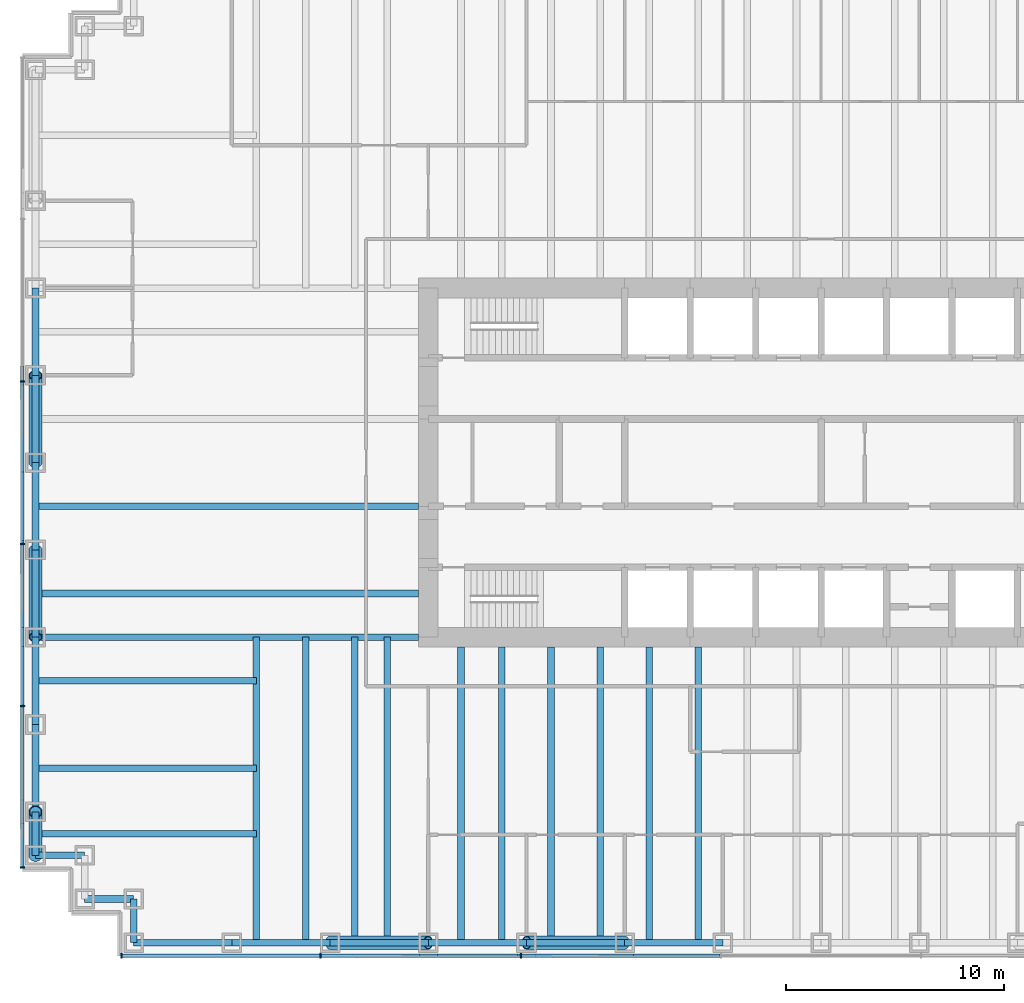
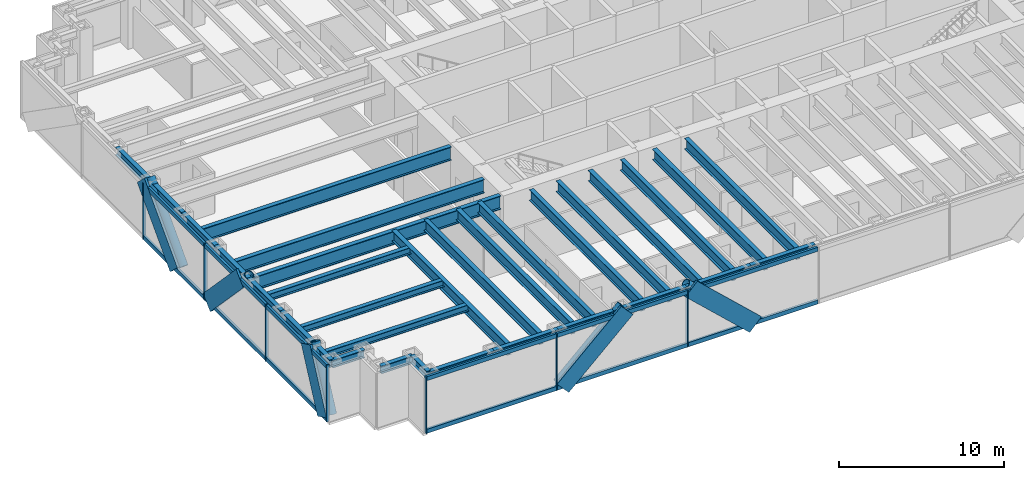
# One storey, part 2 of 15: 32 beams, 29 members, 2 elements without a shape of their own.
"""IFC4 building model written with IfcOpenShell, lengths in metres."""

from ifc_helpers import new_model, si_unit, direction, frame, origin, origin_2d, place, context, subcontext, project, spatial, rectangle, hollow_circle, i_section, extrude, material, material_profile, profile_set, type_object, element, aggregate, save


model = new_model("IFC4")

# Units and contexts
model_context = context("Model", 3, precision=1e-05, world=origin(), true_north=direction((0.0, 1.0)))
body_context = subcontext(model_context, "Body", "Model", "MODEL_VIEW")
ifc_project = project(units=[si_unit("LENGTHUNIT", "METRE"), si_unit("AREAUNIT", "SQUARE_METRE"), si_unit("VOLUMEUNIT", "CUBIC_METRE"), si_unit("PLANEANGLEUNIT", "RADIAN"), si_unit("MASSUNIT", "GRAM", prefix="KILO")], contexts=[model_context])

# Site, building, storey
site_placement = place(None, origin())
site = spatial("IfcSite", under=ifc_project, at=site_placement, CompositionType="ELEMENT")
building_placement = place(site_placement, origin())
building = spatial("IfcBuilding", under=site, at=building_placement, Name="Rheinbord Bourse Tower", CompositionType="ELEMENT")
storey_placement = place(building_placement, frame((0.0, 0.0, 104.699951171875)))
storey = spatial("IfcBuildingStorey", under=building, at=storey_placement, Name="L22", CompositionType="ELEMENT", Elevation=104.699951171875)

# Curtain wall, members
ifc_material_1 = material(Name="Dark glass and black aluminium", Category="aluminium")
curtain_wall_type = type_object("IfcCurtainWallType", Name="CW2 DARK GLASS CURTAIN WALL", PredefinedType="USERDEFINED", material=ifc_material_1)
curtain_wall_1_placement = place(storey_placement, origin())
curtain_wall_1 = element("IfcCurtainWall", 1, at=curtain_wall_1_placement, inside=storey, type_object=curtain_wall_type, Name="Curtain wall CW2 S L22", ObjectType="UNITISED CURTAIN WALL", PredefinedType="USERDEFINED")
ifc_material_2 = material(Name="Black anodised aluminium", Category="aluminium")
ifc_material_profile_1 = material_profile(ifc_material_2, rectangle(XDim=0.159912109375, YDim=1.2099609375, at=origin_2d()), Name="CW2 DIAGONAL MULLION 1210x160")
ifc_profile_set_1 = profile_set([ifc_material_profile_1], Name="Black anodised aluminium")
member_type_1 = type_object("IfcMemberType", Name="CW2 BLACK DIAGONAL MULLION", PredefinedType="USERDEFINED", material=ifc_profile_set_1)
member_1_placement = place(storey_placement, frame((27.0, 1.39990234375, 0.0), z_axis=(-0.73105922506, 0.0, 0.682314010889), x_axis=(0.0, -1.0, 0.0)))
member_1 = element("IfcMember", 2, at=member_1_placement, type_object=member_type_1, Name="CW2 diagonal mullion a", ObjectType="DIAGONAL MULLION", PredefinedType="USERDEFINED", context=body_context, shape_type="SweptSolid", body=[
    extrude(rectangle(XDim=0.159912109375, YDim=1.2099609375, at=origin_2d()), origin(), (0.0, 0.0, 1.0), 6.155517578125),
])
member_2_placement = place(storey_placement, frame((13.5, 1.39990234375, 0.0), z_axis=(0.73105922506, 0.0, 0.682314010889), x_axis=(0.0, 1.0, 0.0)))
member_2 = element("IfcMember", 3, at=member_2_placement, type_object=member_type_1, Name="CW2 diagonal mullion c", ObjectType="DIAGONAL MULLION", PredefinedType="USERDEFINED", context=body_context, shape_type="SweptSolid", body=[
    extrude(rectangle(XDim=0.159912109375, YDim=1.2099609375, at=origin_2d()), origin(), (0.0, 0.0, 1.0), 6.155517578125),
])

curtain_wall_2_placement = place(storey_placement, origin())
curtain_wall_2 = element("IfcCurtainWall", 4, at=curtain_wall_2_placement, inside=storey, type_object=curtain_wall_type, Name="Curtain wall CW2 W L22", ObjectType="UNITISED CURTAIN WALL", PredefinedType="USERDEFINED")
member_3_placement = place(storey_placement, frame((-0.60009765625, 24.0, 0.0), z_axis=(0.0, 0.689659376744, 0.724133926887), x_axis=(-1.0, 0.0, 0.0)))
member_3 = element("IfcMember", 5, at=member_3_placement, type_object=member_type_1, Name="CW2 diagonal mullion a", ObjectType="DIAGONAL MULLION", PredefinedType="USERDEFINED", context=body_context, shape_type="SweptSolid", body=[
    extrude(rectangle(XDim=0.159912109375, YDim=1.2099609375, at=origin_2d()), origin(), (0.0, 0.0, 1.0), 5.800048828125),
])
member_4_placement = place(storey_placement, frame((-0.60009765625, 20.0, 0.0), z_axis=(0.0, -0.689659376744, 0.724133926887), x_axis=(1.0, 0.0, 0.0)))
member_4 = element("IfcMember", 6, at=member_4_placement, type_object=member_type_1, Name="CW2 diagonal mullion b", ObjectType="DIAGONAL MULLION", PredefinedType="USERDEFINED", context=body_context, shape_type="SweptSolid", body=[
    extrude(rectangle(XDim=0.159912109375, YDim=1.2099609375, at=origin_2d()), origin(), (0.0, 0.0, 1.0), 5.800048828125),
])
member_5_placement = place(storey_placement, frame((-0.60009765625, 6.0, 0.0), z_axis=(0.0, 0.429937654825, 0.902858578607), x_axis=(-1.0, 0.0, 0.0)))
member_5 = element("IfcMember", 7, at=member_5_placement, type_object=member_type_1, Name="CW2 diagonal mullion d", ObjectType="DIAGONAL MULLION", PredefinedType="USERDEFINED", context=body_context, shape_type="SweptSolid", body=[
    extrude(rectangle(XDim=0.159912109375, YDim=1.2099609375, at=origin_2d()), origin(), (0.0, 0.0, 1.0), 4.65185546875),
])

# Member
ifc_material_3 = material(Name="Black anodised aluminium", Category="aluminium")
ifc_material_profile_2 = material_profile(ifc_material_3, rectangle(XDim=0.219970703125, YDim=0.070068359375, at=origin_2d()), Name="CW2 MULLION 70x220")
ifc_profile_set_2 = profile_set([ifc_material_profile_2], Name="Black anodised aluminium")
member_type_2 = type_object("IfcMemberType", Name="CW2 BLACK MULLION", PredefinedType="MULLION", material=ifc_profile_set_2)
member_6_placement = place(storey_placement, frame((3.93505859375, 1.39990234375, 0.0), z_axis=(0.0, 0.0, 1.0), x_axis=(0.0, 1.0, 0.0)))
member_6 = element("IfcMember", 8, at=member_6_placement, type_object=member_type_2, Name="CW2 mullion 1", PredefinedType="MULLION", context=body_context, shape_type="SweptSolid", body=[
    extrude(rectangle(XDim=0.219970703125, YDim=0.070068359375, at=origin_2d()), origin(), (0.0, 0.0, 1.0), 4.199951171875),
])

member_7_placement = place(storey_placement, frame((13.071533203125, 1.39990234375, 0.0), z_axis=(0.0, 0.0, 1.0), x_axis=(0.0, 1.0, 0.0)))
member_7 = element("IfcMember", 9, at=member_7_placement, type_object=member_type_2, Name="CW2 mullion 2", PredefinedType="MULLION", context=body_context, shape_type="SweptSolid", body=[
    extrude(rectangle(XDim=0.219970703125, YDim=0.070068359375, at=origin_2d()), origin(), (0.0, 0.0, 1.0), 4.199951171875),
])

member_8_placement = place(storey_placement, frame((22.242919921875, 1.39990234375, 0.0), z_axis=(0.0, 0.0, 1.0), x_axis=(0.0, 1.0, 0.0)))
member_8 = element("IfcMember", 10, at=member_8_placement, type_object=member_type_2, Name="CW2 mullion 3", PredefinedType="MULLION", context=body_context, shape_type="SweptSolid", body=[
    extrude(rectangle(XDim=0.219970703125, YDim=0.070068359375, at=origin_2d()), origin(), (0.0, 0.0, 1.0), 4.199951171875),
])

member_9_placement = place(storey_placement, frame((-0.60009765625, 27.719970703125, 0.0), z_axis=(0.0, 0.0, 1.0), x_axis=(1.0, 0.0, 0.0)))
member_9 = element("IfcMember", 11, at=member_9_placement, type_object=member_type_2, Name="CW2 mullion 3", PredefinedType="MULLION", context=body_context, shape_type="SweptSolid", body=[
    extrude(rectangle(XDim=0.219970703125, YDim=0.070068359375, at=origin_2d()), origin(), (0.0, 0.0, 1.0), 4.199951171875),
])

member_10_placement = place(storey_placement, frame((-0.60009765625, 20.280029296875, 0.0), z_axis=(0.0, 0.0, 1.0), x_axis=(1.0, 0.0, 0.0)))
member_10 = element("IfcMember", 12, at=member_10_placement, type_object=member_type_2, Name="CW2 mullion 4", PredefinedType="MULLION", context=body_context, shape_type="SweptSolid", body=[
    extrude(rectangle(XDim=0.219970703125, YDim=0.070068359375, at=origin_2d()), origin(), (0.0, 0.0, 1.0), 4.199951171875),
])

member_11_placement = place(storey_placement, frame((-0.60009765625, 12.840087890625, 0.0), z_axis=(0.0, 0.0, 1.0), x_axis=(1.0, 0.0, 0.0)))
member_11 = element("IfcMember", 13, at=member_11_placement, type_object=member_type_2, Name="CW2 mullion 5", PredefinedType="MULLION", context=body_context, shape_type="SweptSolid", body=[
    extrude(rectangle(XDim=0.219970703125, YDim=0.070068359375, at=origin_2d()), origin(), (0.0, 0.0, 1.0), 4.199951171875),
])

member_12_placement = place(storey_placement, frame((-0.60009765625, 5.43505859375, 0.0), z_axis=(0.0, 0.0, 1.0), x_axis=(1.0, 0.0, 0.0)))
member_12 = element("IfcMember", 14, at=member_12_placement, type_object=member_type_2, Name="CW2 mullion 6", PredefinedType="MULLION", context=body_context, shape_type="SweptSolid", body=[
    extrude(rectangle(XDim=0.219970703125, YDim=0.070068359375, at=origin_2d()), origin(), (0.0, 0.0, 1.0), 4.199951171875),
])

ifc_material_4 = material(Name="Black anodised aluminium", Category="aluminium")
ifc_material_profile_3 = material_profile(ifc_material_4, rectangle(XDim=0.159912109375, YDim=0.300048828125, at=origin_2d()), Name="CW2 TRANSOM 300x160")
ifc_profile_set_3 = profile_set([ifc_material_profile_3], Name="Black anodised aluminium")
member_type_3 = type_object("IfcMemberType", Name="CW2 BLACK TRANSOM", PredefinedType="USERDEFINED", material=ifc_profile_set_3)
member_13_placement = place(storey_placement, frame((3.969970703125, 1.39990234375, 0.150146484375), z_axis=(1.0, 0.0, 0.0), x_axis=(0.0, 1.0, 0.0)))
member_13 = element("IfcMember", 15, at=member_13_placement, type_object=member_type_3, Name="CW2 transom 1.1", ObjectType="TRANSOM", PredefinedType="USERDEFINED", context=body_context, shape_type="SweptSolid", body=[
    extrude(rectangle(XDim=0.159912109375, YDim=0.300048828125, at=origin_2d()), origin(), (0.0, 0.0, 1.0), 9.06640625),
])

member_14_placement = place(storey_placement, frame((3.969970703125, 1.39990234375, 4.050048828125), z_axis=(1.0, 0.0, 0.0), x_axis=(0.0, 1.0, 0.0)))
member_14 = element("IfcMember", 16, at=member_14_placement, type_object=member_type_3, Name="CW2 transom 1.2", ObjectType="TRANSOM", PredefinedType="USERDEFINED", context=body_context, shape_type="SweptSolid", body=[
    extrude(rectangle(XDim=0.159912109375, YDim=0.300048828125, at=origin_2d()), origin(), (0.0, 0.0, 1.0), 9.06640625),
])

member_15_placement = place(storey_placement, frame((13.1064453125, 1.39990234375, 0.150146484375), z_axis=(1.0, 0.0, 0.0), x_axis=(0.0, 1.0, 0.0)))
member_15 = element("IfcMember", 17, at=member_15_placement, type_object=member_type_3, Name="CW2 transom 2.1", ObjectType="TRANSOM", PredefinedType="USERDEFINED", context=body_context, shape_type="SweptSolid", body=[
    extrude(rectangle(XDim=0.159912109375, YDim=0.300048828125, at=origin_2d()), origin(), (0.0, 0.0, 1.0), 9.101318359375),
])

member_16_placement = place(storey_placement, frame((13.1064453125, 1.39990234375, 4.050048828125), z_axis=(1.0, 0.0, 0.0), x_axis=(0.0, 1.0, 0.0)))
member_16 = element("IfcMember", 18, at=member_16_placement, type_object=member_type_3, Name="CW2 transom 2.2", ObjectType="TRANSOM", PredefinedType="USERDEFINED", context=body_context, shape_type="SweptSolid", body=[
    extrude(rectangle(XDim=0.159912109375, YDim=0.300048828125, at=origin_2d()), origin(), (0.0, 0.0, 1.0), 9.101318359375),
])

member_17_placement = place(storey_placement, frame((22.27783203125, 1.39990234375, 0.150146484375), z_axis=(1.0, 0.0, 0.0), x_axis=(0.0, 1.0, 0.0)))
member_17 = element("IfcMember", 19, at=member_17_placement, type_object=member_type_3, Name="CW2 transom 3.1", ObjectType="TRANSOM", PredefinedType="USERDEFINED", context=body_context, shape_type="SweptSolid", body=[
    extrude(rectangle(XDim=0.159912109375, YDim=0.300048828125, at=origin_2d()), origin(), (0.0, 0.0, 1.0), 9.1015625),
])

member_18_placement = place(storey_placement, frame((22.27783203125, 1.39990234375, 4.050048828125), z_axis=(1.0, 0.0, 0.0), x_axis=(0.0, 1.0, 0.0)))
member_18 = element("IfcMember", 20, at=member_18_placement, type_object=member_type_3, Name="CW2 transom 3.2", ObjectType="TRANSOM", PredefinedType="USERDEFINED", context=body_context, shape_type="SweptSolid", body=[
    extrude(rectangle(XDim=0.159912109375, YDim=0.300048828125, at=origin_2d()), origin(), (0.0, 0.0, 1.0), 9.1015625),
])

aggregate(curtain_wall_1, [member_6, member_7, member_8, member_13, member_14, member_15, member_16, member_17, member_18, member_1, member_2])

member_19_placement = place(storey_placement, frame((-0.60009765625, 27.68505859375, 0.150146484375), z_axis=(0.0, -1.0, 0.0), x_axis=(1.0, 0.0, 0.0)))
member_19 = element("IfcMember", 21, at=member_19_placement, type_object=member_type_3, Name="CW2 transom 3.1", ObjectType="TRANSOM", PredefinedType="USERDEFINED", context=body_context, shape_type="SweptSolid", body=[
    extrude(rectangle(XDim=0.159912109375, YDim=0.300048828125, at=origin_2d()), origin(), (0.0, 0.0, 1.0), 7.3701171875),
])

member_20_placement = place(storey_placement, frame((-0.60009765625, 27.68505859375, 4.050048828125), z_axis=(0.0, -1.0, 0.0), x_axis=(1.0, 0.0, 0.0)))
member_20 = element("IfcMember", 22, at=member_20_placement, type_object=member_type_3, Name="CW2 transom 3.2", ObjectType="TRANSOM", PredefinedType="USERDEFINED", context=body_context, shape_type="SweptSolid", body=[
    extrude(rectangle(XDim=0.159912109375, YDim=0.300048828125, at=origin_2d()), origin(), (0.0, 0.0, 1.0), 7.3701171875),
])

member_21_placement = place(storey_placement, frame((-0.60009765625, 20.2451171875, 0.150146484375), z_axis=(0.0, -1.0, 0.0), x_axis=(1.0, 0.0, 0.0)))
member_21 = element("IfcMember", 23, at=member_21_placement, type_object=member_type_3, Name="CW2 transom 4.1", ObjectType="TRANSOM", PredefinedType="USERDEFINED", context=body_context, shape_type="SweptSolid", body=[
    extrude(rectangle(XDim=0.159912109375, YDim=0.300048828125, at=origin_2d()), origin(), (0.0, 0.0, 1.0), 7.3701171875),
])

member_22_placement = place(storey_placement, frame((-0.60009765625, 20.2451171875, 4.050048828125), z_axis=(0.0, -1.0, 0.0), x_axis=(1.0, 0.0, 0.0)))
member_22 = element("IfcMember", 24, at=member_22_placement, type_object=member_type_3, Name="CW2 transom 4.2", ObjectType="TRANSOM", PredefinedType="USERDEFINED", context=body_context, shape_type="SweptSolid", body=[
    extrude(rectangle(XDim=0.159912109375, YDim=0.300048828125, at=origin_2d()), origin(), (0.0, 0.0, 1.0), 7.3701171875),
])

member_23_placement = place(storey_placement, frame((-0.60009765625, 12.804931640625, 0.150146484375), z_axis=(0.0, -1.0, 0.0), x_axis=(1.0, 0.0, 0.0)))
member_23 = element("IfcMember", 25, at=member_23_placement, type_object=member_type_3, Name="CW2 transom 5.1", ObjectType="TRANSOM", PredefinedType="USERDEFINED", context=body_context, shape_type="SweptSolid", body=[
    extrude(rectangle(XDim=0.159912109375, YDim=0.300048828125, at=origin_2d()), origin(), (0.0, 0.0, 1.0), 7.3349609375),
])

member_24_placement = place(storey_placement, frame((-0.60009765625, 12.804931640625, 4.050048828125), z_axis=(0.0, -1.0, 0.0), x_axis=(1.0, 0.0, 0.0)))
member_24 = element("IfcMember", 26, at=member_24_placement, type_object=member_type_3, Name="CW2 transom 5.2", ObjectType="TRANSOM", PredefinedType="USERDEFINED", context=body_context, shape_type="SweptSolid", body=[
    extrude(rectangle(XDim=0.159912109375, YDim=0.300048828125, at=origin_2d()), origin(), (0.0, 0.0, 1.0), 7.3349609375),
])

aggregate(curtain_wall_2, [member_9, member_10, member_11, member_12, member_19, member_20, member_21, member_22, member_23, member_24, member_3, member_4, member_5])

# Beams
ifc_material_5 = material(Name="Steel S460", Category="steel")
ifc_material_profile_4 = material_profile(ifc_material_5, i_section(OverallWidth=0.302001953125, OverallDepth=1.008056640625, WebThickness=0.02099609375, FlangeThickness=0.0400390625, at=origin_2d()), Name="HEM 1000")
ifc_profile_set_4 = profile_set([ifc_material_profile_4], Name="Steel S460")
beam_type_1 = type_object("IfcBeamType", Name="END BEAM HEM 1000", PredefinedType="BEAM", material=ifc_profile_set_4)
for number, where, z_axis, x_axis, name in (
    (27, (0.0, 18.0, 3.5361328125), (1.0, 0.0, 0.0), (0.0, 1.0, 0.0), "End beam west 18 L23"),
    (28, (0.0, 22.0, 3.5361328125), (1.0, 0.0, 0.0), (0.0, 1.0, 0.0), "End beam west 22 L23"),
):
    element("IfcBeam", number, at=place(storey_placement, frame(where, z_axis=z_axis, x_axis=x_axis)), inside=storey, type_object=beam_type_1, Name=name, PredefinedType="BEAM", context=body_context, shape_type="SweptSolid", body=[
        extrude(i_section(OverallWidth=0.302001953125, OverallDepth=1.008056640625, WebThickness=0.02099609375, FlangeThickness=0.0400390625, at=origin_2d()), origin(), (0.0, 0.0, 1.0), 17.550048828125),
    ])
ifc_material_6 = material(Name="Steel S460", Category="steel")
ifc_material_profile_5 = material_profile(ifc_material_6, i_section(OverallWidth=0.300048828125, OverallDepth=0.800048828125, WebThickness=0.017578125, FlangeThickness=0.032958984375, at=origin_2d()), Name="HEB 800")
ifc_profile_set_5 = profile_set([ifc_material_profile_5], Name="Steel S460")
beam_type_2 = type_object("IfcBeamType", Name="FLOOR BEAM HEB 800", PredefinedType="BEAM", material=ifc_profile_set_5)
for number, where, z_axis, x_axis, name in (
    (29, (10.125, 2.0, 3.64013671875), (0.0, 1.0, 0.0), (-1.0, 0.0, 0.0), "Floor beam S-9a L23"),
    (30, (12.375, 2.0, 3.64013671875), (0.0, 1.0, 0.0), (-1.0, 0.0, 0.0), "Floor beam S-9b L23"),
    (31, (14.625, 2.0, 3.64013671875), (0.0, 1.0, 0.0), (-1.0, 0.0, 0.0), "Floor beam S-13.5a L23"),
    (32, (16.125, 2.0, 3.64013671875), (0.0, 1.0, 0.0), (-1.0, 0.0, 0.0), "Floor beam S-13.5b L23"),
):
    element("IfcBeam", number, at=place(storey_placement, frame(where, z_axis=z_axis, x_axis=x_axis)), inside=storey, type_object=beam_type_2, Name=name, PredefinedType="BEAM", context=body_context, shape_type="SweptSolid", body=[
        extrude(i_section(OverallWidth=0.300048828125, OverallDepth=0.800048828125, WebThickness=0.017578125, FlangeThickness=0.032958984375, at=origin_2d()), origin(), (0.0, 0.0, 1.0), 14.0),
    ])
for number, where, z_axis, x_axis, name in (
    (33, (19.5, 2.0, 3.64013671875), (0.0, 1.0, 0.0), (-1.0, 0.0, 0.0), "Floor beam S-18a L23"),
    (34, (21.375, 2.0, 3.64013671875), (0.0, 1.0, 0.0), (-1.0, 0.0, 0.0), "Floor beam S-18b L23"),
    (35, (23.625, 2.0, 3.64013671875), (0.0, 1.0, 0.0), (-1.0, 0.0, 0.0), "Floor beam S-22.5a L23"),
    (36, (25.875, 2.0, 3.64013671875), (0.0, 1.0, 0.0), (-1.0, 0.0, 0.0), "Floor beam S-22.5b L23"),
    (37, (28.125, 2.0, 3.64013671875), (0.0, 1.0, 0.0), (-1.0, 0.0, 0.0), "Floor beam S-27a L23"),
    (38, (30.375, 2.0, 3.64013671875), (0.0, 1.0, 0.0), (-1.0, 0.0, 0.0), "Floor beam S-27b L23"),
):
    element("IfcBeam", number, at=place(storey_placement, frame(where, z_axis=z_axis, x_axis=x_axis)), inside=storey, type_object=beam_type_2, Name=name, PredefinedType="BEAM", context=body_context, shape_type="SweptSolid", body=[
        extrude(i_section(OverallWidth=0.300048828125, OverallDepth=0.800048828125, WebThickness=0.017578125, FlangeThickness=0.032958984375, at=origin_2d()), origin(), (0.0, 0.0, 1.0), 13.550048828125),
    ])
ifc_material_7 = material(Name="Steel S460", Category="steel")
ifc_material_profile_6 = material_profile(ifc_material_7, i_section(OverallWidth=0.302001953125, OverallDepth=1.008056640625, WebThickness=0.02099609375, FlangeThickness=0.0400390625, at=origin_2d()), Name="HEM 1000")
ifc_profile_set_6 = profile_set([ifc_material_profile_6], Name="Steel S460")
beam_type_3 = type_object("IfcBeamType", Name="GIRDER HEM 1000", PredefinedType="BEAM", material=ifc_profile_set_6)
beam_1_placement = place(storey_placement, frame((0.0, 16.0, 3.5361328125), z_axis=(1.0, 0.0, 0.0), x_axis=(0.0, 1.0, 0.0)))
element("IfcBeam", 39, at=beam_1_placement, inside=storey, type_object=beam_type_3, Name="Girder west 16 L23", PredefinedType="BEAM", context=body_context, shape_type="SweptSolid", body=[
    extrude(i_section(OverallWidth=0.302001953125, OverallDepth=1.008056640625, WebThickness=0.02099609375, FlangeThickness=0.0400390625, at=origin_2d()), origin(), (0.0, 0.0, 1.0), 17.550048828125),
])

# Members
ifc_material_8 = material(Name="Steel S460", Category="steel")
ifc_material_profile_7 = material_profile(ifc_material_8, hollow_circle(Radius=0.304931640625, WallThickness=0.0400390625, at=origin_2d()), Name="CHS 610x40")
ifc_profile_set_7 = profile_set([ifc_material_profile_7], Name="Steel S460")
member_type_4 = type_object("IfcMemberType", Name="MEGABRACE CHS 610x40", PredefinedType="BRACE", material=ifc_profile_set_7)
for number, where, z_axis, x_axis, name in (
    (40, (27.0, 2.0, 0.0), (-0.73105922506, 0.0, 0.682314010889), (0.0, -1.0, 0.0), "Megabrace S face line a L22"),
    (41, (13.5, 2.0, 0.0), (0.73105922506, 0.0, 0.682314010889), (0.0, 1.0, 0.0), "Megabrace S face line c L22"),
):
    element("IfcMember", number, at=place(storey_placement, frame(where, z_axis=z_axis, x_axis=x_axis)), inside=storey, type_object=member_type_4, Name=name, PredefinedType="BRACE", context=body_context, shape_type="SweptSolid", body=[
        extrude(hollow_circle(Radius=0.304931640625, WallThickness=0.0400390625, at=origin_2d()), origin(), (0.0, 0.0, 1.0), 6.155517578125),
    ])
for number, where, z_axis, x_axis, name in (
    (42, (0.0, 24.0, 0.0), (0.0, 0.689659376744, 0.724133926887), (-1.0, 0.0, 0.0), "Megabrace W face line a L22"),
    (43, (0.0, 20.0, 0.0), (0.0, -0.689659376744, 0.724133926887), (1.0, 0.0, 0.0), "Megabrace W face line b L22"),
):
    element("IfcMember", number, at=place(storey_placement, frame(where, z_axis=z_axis, x_axis=x_axis)), inside=storey, type_object=member_type_4, Name=name, PredefinedType="BRACE", context=body_context, shape_type="SweptSolid", body=[
        extrude(hollow_circle(Radius=0.304931640625, WallThickness=0.0400390625, at=origin_2d()), origin(), (0.0, 0.0, 1.0), 5.800048828125),
    ])
member_25_placement = place(storey_placement, frame((0.0, 6.0, 0.0), z_axis=(0.0, 0.429937654825, 0.902858578607), x_axis=(-1.0, 0.0, 0.0)))
element("IfcMember", 44, at=member_25_placement, inside=storey, type_object=member_type_4, Name="Megabrace W face line d L22", PredefinedType="BRACE", context=body_context, shape_type="SweptSolid", body=[
    extrude(hollow_circle(Radius=0.304931640625, WallThickness=0.0400390625, at=origin_2d()), origin(), (0.0, 0.0, 1.0), 4.65185546875),
])

# Beams
ifc_material_9 = material(Name="Steel S460", Category="steel")
ifc_material_profile_8 = material_profile(ifc_material_9, i_section(OverallWidth=0.305908203125, OverallDepth=0.572021484375, WebThickness=0.02099609375, FlangeThickness=0.0400390625, at=origin_2d()), Name="HEM 550")
ifc_profile_set_8 = profile_set([ifc_material_profile_8], Name="Steel S460")
beam_type_4 = type_object("IfcBeamType", Name="SPANDREL HEM 550", PredefinedType="SPANDREL", material=ifc_profile_set_8)
for number, where, z_axis, x_axis, name in (
    (45, (4.5, 2.0, 3.754150390625), (1.0, 0.0, 0.0), (0.0, 1.0, 0.0), "Spandrel SW-E-S-9 under L23"),
    (46, (9.0, 2.0, 3.754150390625), (1.0, 0.0, 0.0), (0.0, 1.0, 0.0), "Spandrel S-9-S-13.5 under L23"),
    (47, (13.5, 2.0, 3.754150390625), (1.0, 0.0, 0.0), (0.0, 1.0, 0.0), "Spandrel S-13.5-S-18 under L23"),
    (48, (18.0, 2.0, 3.754150390625), (1.0, 0.0, 0.0), (0.0, 1.0, 0.0), "Spandrel S-18-S-22.5 under L23"),
    (49, (22.5, 2.0, 3.754150390625), (1.0, 0.0, 0.0), (0.0, 1.0, 0.0), "Spandrel S-22.5-S-27 under L23"),
    (50, (27.0, 2.0, 3.754150390625), (1.0, 0.0, 0.0), (0.0, 1.0, 0.0), "Spandrel S-27-S-31.5 under L23"),
):
    element("IfcBeam", number, at=place(storey_placement, frame(where, z_axis=z_axis, x_axis=x_axis)), inside=storey, type_object=beam_type_4, Name=name, PredefinedType="SPANDREL", context=body_context, shape_type="SweptSolid", body=[
        extrude(i_section(OverallWidth=0.305908203125, OverallDepth=0.572021484375, WebThickness=0.02099609375, FlangeThickness=0.0400390625, at=origin_2d()), origin(), (0.0, 0.0, 1.0), 4.5),
    ])
for number, where, z_axis, x_axis, name in (
    (51, (0.0, 32.0, 3.754150390625), (0.0, -1.0, 0.0), (1.0, 0.0, 0.0), "Spandrel W-32-W-28 under L23"),
    (52, (0.0, 28.0, 3.754150390625), (0.0, -1.0, 0.0), (1.0, 0.0, 0.0), "Spandrel W-28-W-24 under L23"),
    (53, (0.0, 24.0, 3.754150390625), (0.0, -1.0, 0.0), (1.0, 0.0, 0.0), "Spandrel W-24-W-20 under L23"),
    (54, (0.0, 20.0, 3.754150390625), (0.0, -1.0, 0.0), (1.0, 0.0, 0.0), "Spandrel W-20-W-16 under L23"),
    (55, (0.0, 16.0, 3.754150390625), (0.0, -1.0, 0.0), (1.0, 0.0, 0.0), "Spandrel W-16-W-12 under L23"),
    (56, (0.0, 12.0, 3.754150390625), (0.0, -1.0, 0.0), (1.0, 0.0, 0.0), "Spandrel W-12-W-8 under L23"),
):
    element("IfcBeam", number, at=place(storey_placement, frame(where, z_axis=z_axis, x_axis=x_axis)), inside=storey, type_object=beam_type_4, Name=name, PredefinedType="SPANDREL", context=body_context, shape_type="SweptSolid", body=[
        extrude(i_section(OverallWidth=0.305908203125, OverallDepth=0.572021484375, WebThickness=0.02099609375, FlangeThickness=0.0400390625, at=origin_2d()), origin(), (0.0, 0.0, 1.0), 4.0),
    ])
beam_2_placement = place(storey_placement, frame((0.0, 8.0, 3.754150390625), z_axis=(0.0, -1.0, 0.0), x_axis=(1.0, 0.0, 0.0)))
element("IfcBeam", 57, at=beam_2_placement, inside=storey, type_object=beam_type_4, Name="Spandrel W-8-SW-A under L23", PredefinedType="SPANDREL", context=body_context, shape_type="SweptSolid", body=[
    extrude(i_section(OverallWidth=0.305908203125, OverallDepth=0.572021484375, WebThickness=0.02099609375, FlangeThickness=0.0400390625, at=origin_2d()), origin(), (0.0, 0.0, 1.0), 2.0),
])
for number, where, z_axis, x_axis, name in (
    (58, (0.0, 6.0, 3.754150390625), (1.0, 0.0, 0.0), (0.0, 1.0, 0.0), "Spandrel SW-A-SW-B under L23"),
    (59, (2.25, 4.0, 3.754150390625), (1.0, 0.0, 0.0), (0.0, 1.0, 0.0), "Spandrel SW-C-SW-D under L23"),
):
    element("IfcBeam", number, at=place(storey_placement, frame(where, z_axis=z_axis, x_axis=x_axis)), inside=storey, type_object=beam_type_4, Name=name, PredefinedType="SPANDREL", context=body_context, shape_type="SweptSolid", body=[
        extrude(i_section(OverallWidth=0.305908203125, OverallDepth=0.572021484375, WebThickness=0.02099609375, FlangeThickness=0.0400390625, at=origin_2d()), origin(), (0.0, 0.0, 1.0), 2.25),
    ])
beam_3_placement = place(storey_placement, frame((4.5, 4.0, 3.754150390625), z_axis=(0.0, -1.0, 0.0), x_axis=(1.0, 0.0, 0.0)))
element("IfcBeam", 60, at=beam_3_placement, inside=storey, type_object=beam_type_4, Name="Spandrel SW-D-SW-E under L23", PredefinedType="SPANDREL", context=body_context, shape_type="SweptSolid", body=[
    extrude(i_section(OverallWidth=0.305908203125, OverallDepth=0.572021484375, WebThickness=0.02099609375, FlangeThickness=0.0400390625, at=origin_2d()), origin(), (0.0, 0.0, 1.0), 2.0),
])
ifc_material_10 = material(Name="Steel S460", Category="steel")
ifc_material_profile_9 = material_profile(ifc_material_10, i_section(OverallWidth=0.300048828125, OverallDepth=0.5, WebThickness=0.014404296875, FlangeThickness=0.028076171875, at=origin_2d()), Name="HEB 500")
ifc_profile_set_9 = profile_set([ifc_material_profile_9], Name="Steel S460")
beam_type_5 = type_object("IfcBeamType", Name="TIE BEAM HEB 500", PredefinedType="JOIST", material=ifc_profile_set_9)
for number, where, z_axis, x_axis, name in (
    (61, (0.0, 7.0, 3.7900390625), (1.0, 0.0, 0.0), (0.0, 1.0, 0.0), "Tie west 7 L23"),
    (62, (0.0, 10.0, 3.7900390625), (1.0, 0.0, 0.0), (0.0, 1.0, 0.0), "Tie west 10 L23"),
    (63, (0.0, 14.0, 3.7900390625), (1.0, 0.0, 0.0), (0.0, 1.0, 0.0), "Tie west 14 L23"),
):
    element("IfcBeam", number, at=place(storey_placement, frame(where, z_axis=z_axis, x_axis=x_axis)), inside=storey, type_object=beam_type_5, Name=name, PredefinedType="JOIST", context=body_context, shape_type="SweptSolid", body=[
        extrude(i_section(OverallWidth=0.300048828125, OverallDepth=0.5, WebThickness=0.014404296875, FlangeThickness=0.028076171875, at=origin_2d()), origin(), (0.0, 0.0, 1.0), 10.125),
    ])

save(model, "model.ifc")
